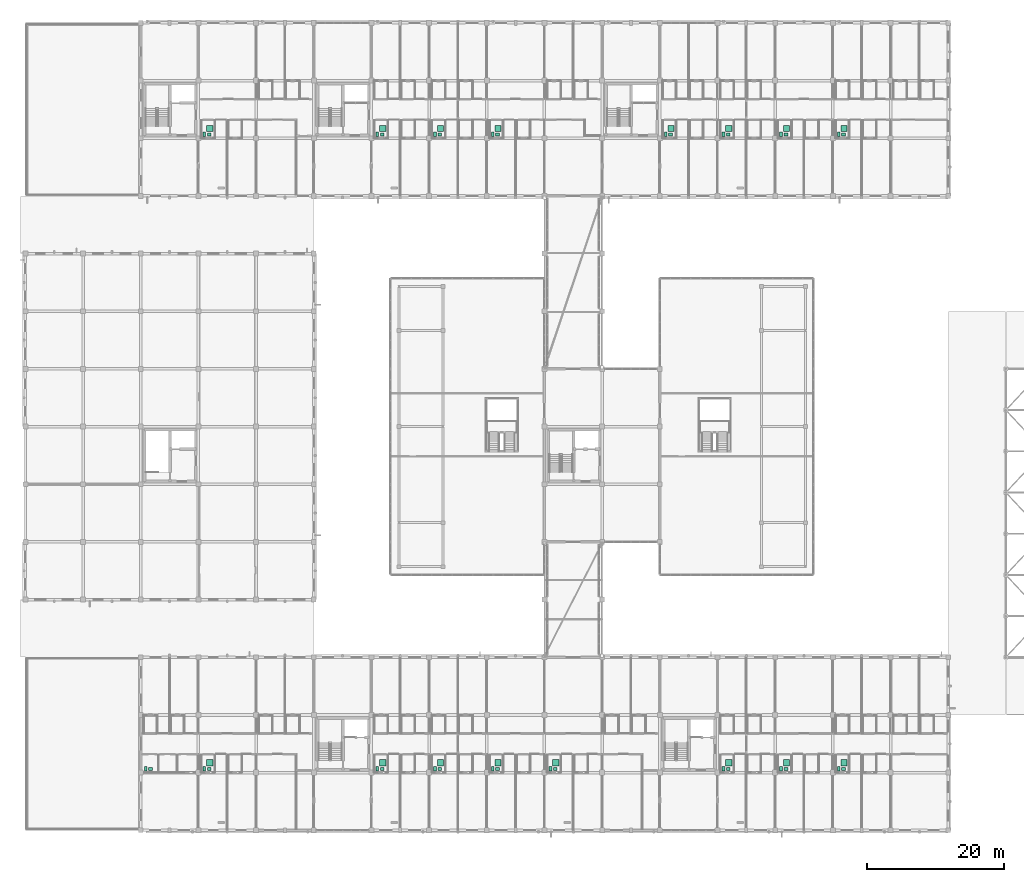
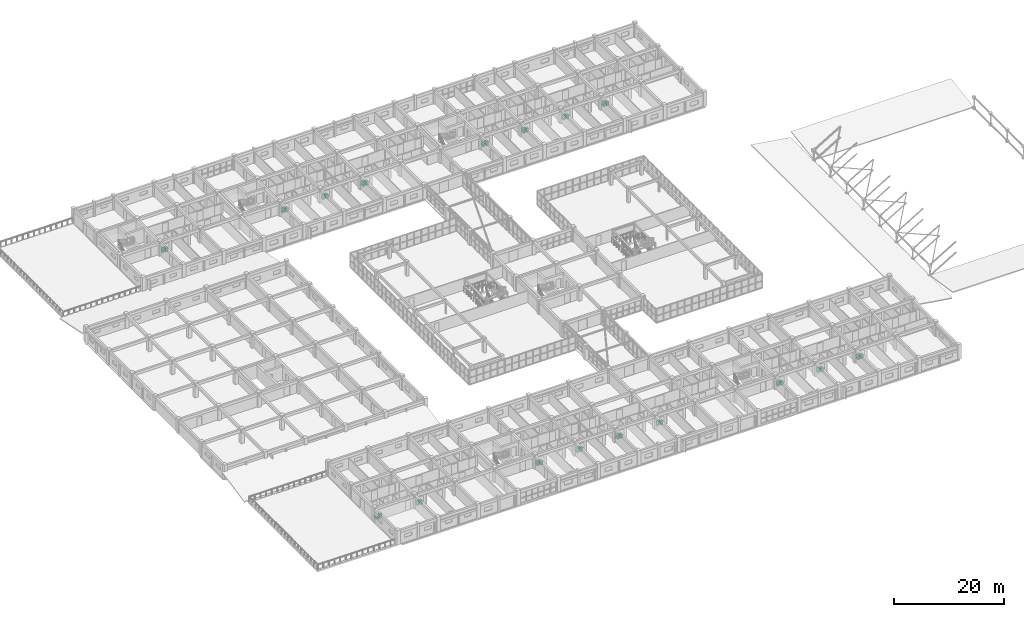
# One storey, part 148 of 148: 50 sanitary terminals.
"""IFC4 building model written with IfcOpenShell, lengths in metres."""

from ifc_helpers import new_model, si_unit, direction, frame, origin, origin_2d, place, context, subcontext, project, spatial, rectangle, extrude, material, type_object, element, save


model = new_model("IFC4")

# Units and contexts
model_context = context("Model", 3, precision=1e-05, world=origin(), true_north=direction((0.0, 1.0)))
body_context = subcontext(model_context, "Body", "Model", "MODEL_VIEW")
ifc_project = project(units=[si_unit("LENGTHUNIT", "METRE"), si_unit("AREAUNIT", "SQUARE_METRE"), si_unit("VOLUMEUNIT", "CUBIC_METRE"), si_unit("PLANEANGLEUNIT", "RADIAN"), si_unit("MASSUNIT", "GRAM", prefix="KILO")], contexts=[model_context])

# Site, building, storey
site_placement = place(None, origin())
site = spatial("IfcSite", under=ifc_project, at=site_placement, CompositionType="ELEMENT")
building_placement = place(site_placement, origin())
building = spatial("IfcBuilding", under=site, at=building_placement, Name="Trelvath General Hospital", CompositionType="ELEMENT")
storey_placement = place(building_placement, frame((0.0, 0.0, 12.89990234375)))
storey = spatial("IfcBuildingStorey", under=building, at=storey_placement, Name="L03", CompositionType="ELEMENT", Elevation=12.89990234375)

# Sanitary terminals
ifc_material_1 = material(Name="Sanitary glazed porcelain")
sanitary_terminal_type_1 = type_object("IfcSanitaryTerminalType", Name="Sanitary Basin", PredefinedType="WASHHANDBASIN", material=ifc_material_1)
for number, where, z_axis, x_axis, name in (
    (1, (18.219970703125, 8.93994140625, 0.0), (0.0, 0.0, 1.0), (1.0, 0.0, 0.0), "Pedestal Washbasin FIT-L03-V6-AWC-2"),
    (2, (26.760009765625, 8.929931640625, 0.0), (0.0, 0.0, 1.0), (1.0, 0.0, 0.0), "Pedestal Washbasin FIT-L03-V6-3-W"),
    (3, (51.9599609375, 8.929931640625, 0.0), (0.0, 0.0, 1.0), (1.0, 0.0, 0.0), "Pedestal Washbasin FIT-L03-V6-6-W"),
    (4, (60.360107421875, 8.929931640625, 0.0), (0.0, 0.0, 1.0), (1.0, 0.0, 0.0), "Pedestal Washbasin FIT-L03-V6-7-W"),
    (5, (68.760009765625, 8.929931640625, 0.0), (0.0, 0.0, 1.0), (1.0, 0.0, 0.0), "Pedestal Washbasin FIT-L03-V6-8-W"),
    (6, (77.159912109375, 8.929931640625, 0.0), (0.0, 0.0, 1.0), (1.0, 0.0, 0.0), "Pedestal Washbasin FIT-L03-V6-9-W"),
    (7, (102.360107421875, 8.929931640625, 0.0), (0.0, 0.0, 1.0), (1.0, 0.0, 0.0), "Pedestal Washbasin FIT-L03-V6-12-W"),
    (8, (110.760009765625, 8.929931640625, 0.0), (0.0, 0.0, 1.0), (1.0, 0.0, 0.0), "Pedestal Washbasin FIT-L03-V6-13-W"),
    (9, (119.159912109375, 8.929931640625, 0.0), (0.0, 0.0, 1.0), (1.0, 0.0, 0.0), "Pedestal Washbasin FIT-L03-V6-14-W"),
    (10, (26.760009765625, 101.330078125, 0.0), (0.0, 0.0, 1.0), (1.0, 0.0, 0.0), "Pedestal Washbasin FIT-L03-V5-3-W"),
    (11, (51.9599609375, 101.330078125, 0.0), (0.0, 0.0, 1.0), (1.0, 0.0, 0.0), "Pedestal Washbasin FIT-L03-V5-6-W"),
    (12, (60.360107421875, 101.330078125, 0.0), (0.0, 0.0, 1.0), (1.0, 0.0, 0.0), "Pedestal Washbasin FIT-L03-V5-7-W"),
    (13, (68.760009765625, 101.330078125, 0.0), (0.0, 0.0, 1.0), (1.0, 0.0, 0.0), "Pedestal Washbasin FIT-L03-V5-8-W"),
    (14, (93.9599609375, 101.330078125, 0.0), (0.0, 0.0, 1.0), (1.0, 0.0, 0.0), "Pedestal Washbasin FIT-L03-V5-11-W"),
    (15, (102.360107421875, 101.330078125, 0.0), (0.0, 0.0, 1.0), (1.0, 0.0, 0.0), "Pedestal Washbasin FIT-L03-V5-12-W"),
    (16, (110.760009765625, 101.330078125, 0.0), (0.0, 0.0, 1.0), (1.0, 0.0, 0.0), "Pedestal Washbasin FIT-L03-V5-13-W"),
    (17, (119.159912109375, 101.330078125, 0.0), (0.0, 0.0, 1.0), (1.0, 0.0, 0.0), "Pedestal Washbasin FIT-L03-V5-14-W"),
):
    element("IfcSanitaryTerminal", number, at=place(storey_placement, frame(where, z_axis=z_axis, x_axis=x_axis)), inside=storey, type_object=sanitary_terminal_type_1, Name=name, PredefinedType="WASHHANDBASIN", context=body_context, shape_type="SweptSolid", body=[
        extrude(rectangle(XDim=0.550048828125, YDim=0.449951171875, at=origin_2d()), origin(), (0.0, 0.0, 1.0), 0.85009765625),
    ])
ifc_material_2 = material(Name="Sanitary glazed porcelain")
sanitary_terminal_type_2 = type_object("IfcSanitaryTerminalType", Name="Sanitary Shower", PredefinedType="SHOWER", material=ifc_material_2)
for number, where, z_axis, x_axis, name in (
    (18, (26.840087890625, 9.840087890625, 0.0), (0.0, 0.0, 1.0), (1.0, 0.0, 0.0), "Roll-in Shower FIT-L03-V6-3-W"),
    (19, (52.0400390625, 9.840087890625, 0.0), (0.0, 0.0, 1.0), (1.0, 0.0, 0.0), "Roll-in Shower FIT-L03-V6-6-W"),
    (20, (60.43994140625, 9.840087890625, 0.0), (0.0, 0.0, 1.0), (1.0, 0.0, 0.0), "Roll-in Shower FIT-L03-V6-7-W"),
    (21, (68.840087890625, 9.840087890625, 0.0), (0.0, 0.0, 1.0), (1.0, 0.0, 0.0), "Roll-in Shower FIT-L03-V6-8-W"),
    (22, (77.239990234375, 9.840087890625, 0.0), (0.0, 0.0, 1.0), (1.0, 0.0, 0.0), "Roll-in Shower FIT-L03-V6-9-W"),
    (23, (102.43994140625, 9.840087890625, 0.0), (0.0, 0.0, 1.0), (1.0, 0.0, 0.0), "Roll-in Shower FIT-L03-V6-12-W"),
    (24, (110.840087890625, 9.840087890625, 0.0), (0.0, 0.0, 1.0), (1.0, 0.0, 0.0), "Roll-in Shower FIT-L03-V6-13-W"),
    (25, (119.239990234375, 9.840087890625, 0.0), (0.0, 0.0, 1.0), (1.0, 0.0, 0.0), "Roll-in Shower FIT-L03-V6-14-W"),
    (26, (26.840087890625, 102.239990234375, 0.0), (0.0, 0.0, 1.0), (1.0, 0.0, 0.0), "Roll-in Shower FIT-L03-V5-3-W"),
    (27, (52.0400390625, 102.239990234375, 0.0), (0.0, 0.0, 1.0), (1.0, 0.0, 0.0), "Roll-in Shower FIT-L03-V5-6-W"),
    (28, (60.43994140625, 102.239990234375, 0.0), (0.0, 0.0, 1.0), (1.0, 0.0, 0.0), "Roll-in Shower FIT-L03-V5-7-W"),
    (29, (68.840087890625, 102.239990234375, 0.0), (0.0, 0.0, 1.0), (1.0, 0.0, 0.0), "Roll-in Shower FIT-L03-V5-8-W"),
    (30, (94.0400390625, 102.239990234375, 0.0), (0.0, 0.0, 1.0), (1.0, 0.0, 0.0), "Roll-in Shower FIT-L03-V5-11-W"),
    (31, (102.43994140625, 102.239990234375, 0.0), (0.0, 0.0, 1.0), (1.0, 0.0, 0.0), "Roll-in Shower FIT-L03-V5-12-W"),
    (32, (110.840087890625, 102.239990234375, 0.0), (0.0, 0.0, 1.0), (1.0, 0.0, 0.0), "Roll-in Shower FIT-L03-V5-13-W"),
    (33, (119.239990234375, 102.239990234375, 0.0), (0.0, 0.0, 1.0), (1.0, 0.0, 0.0), "Roll-in Shower FIT-L03-V5-14-W"),
):
    element("IfcSanitaryTerminal", number, at=place(storey_placement, frame(where, z_axis=z_axis, x_axis=x_axis)), inside=storey, type_object=sanitary_terminal_type_2, Name=name, PredefinedType="SHOWER", context=body_context, shape_type="SweptSolid", body=[
        extrude(rectangle(XDim=0.89990234375, YDim=0.89990234375, at=origin_2d()), origin(), (0.0, 0.0, 1.0), 0.080078125),
    ])
ifc_material_3 = material(Name="Sanitary glazed porcelain")
sanitary_terminal_type_3 = type_object("IfcSanitaryTerminalType", Name="Sanitary WC", PredefinedType="TOILETPAN", material=ifc_material_3)
for number, where, z_axis, x_axis, name in (
    (34, (17.52001953125, 8.97998046875, 0.0), (0.0, 0.0, 1.0), (1.0, 0.0, 0.0), "WC Pan FIT-L03-V6-AWC-2"),
    (35, (26.06005859375, 8.969970703125, 0.0), (0.0, 0.0, 1.0), (1.0, 0.0, 0.0), "WC Pan FIT-L03-V6-3-W"),
    (36, (51.260009765625, 8.969970703125, 0.0), (0.0, 0.0, 1.0), (1.0, 0.0, 0.0), "WC Pan FIT-L03-V6-6-W"),
    (37, (59.659912109375, 8.969970703125, 0.0), (0.0, 0.0, 1.0), (1.0, 0.0, 0.0), "WC Pan FIT-L03-V6-7-W"),
    (38, (68.06005859375, 8.969970703125, 0.0), (0.0, 0.0, 1.0), (1.0, 0.0, 0.0), "WC Pan FIT-L03-V6-8-W"),
    (39, (76.4599609375, 8.969970703125, 0.0), (0.0, 0.0, 1.0), (1.0, 0.0, 0.0), "WC Pan FIT-L03-V6-9-W"),
    (40, (101.659912109375, 8.969970703125, 0.0), (0.0, 0.0, 1.0), (1.0, 0.0, 0.0), "WC Pan FIT-L03-V6-12-W"),
    (41, (110.06005859375, 8.969970703125, 0.0), (0.0, 0.0, 1.0), (1.0, 0.0, 0.0), "WC Pan FIT-L03-V6-13-W"),
    (42, (118.4599609375, 8.969970703125, 0.0), (0.0, 0.0, 1.0), (1.0, 0.0, 0.0), "WC Pan FIT-L03-V6-14-W"),
    (43, (26.06005859375, 101.3701171875, 0.0), (0.0, 0.0, 1.0), (1.0, 0.0, 0.0), "WC Pan FIT-L03-V5-3-W"),
    (44, (51.260009765625, 101.3701171875, 0.0), (0.0, 0.0, 1.0), (1.0, 0.0, 0.0), "WC Pan FIT-L03-V5-6-W"),
    (45, (59.659912109375, 101.3701171875, 0.0), (0.0, 0.0, 1.0), (1.0, 0.0, 0.0), "WC Pan FIT-L03-V5-7-W"),
    (46, (68.06005859375, 101.3701171875, 0.0), (0.0, 0.0, 1.0), (1.0, 0.0, 0.0), "WC Pan FIT-L03-V5-8-W"),
    (47, (93.260009765625, 101.3701171875, 0.0), (0.0, 0.0, 1.0), (1.0, 0.0, 0.0), "WC Pan FIT-L03-V5-11-W"),
    (48, (101.659912109375, 101.3701171875, 0.0), (0.0, 0.0, 1.0), (1.0, 0.0, 0.0), "WC Pan FIT-L03-V5-12-W"),
    (49, (110.06005859375, 101.3701171875, 0.0), (0.0, 0.0, 1.0), (1.0, 0.0, 0.0), "WC Pan FIT-L03-V5-13-W"),
    (50, (118.4599609375, 101.3701171875, 0.0), (0.0, 0.0, 1.0), (1.0, 0.0, 0.0), "WC Pan FIT-L03-V5-14-W"),
):
    element("IfcSanitaryTerminal", number, at=place(storey_placement, frame(where, z_axis=z_axis, x_axis=x_axis)), inside=storey, type_object=sanitary_terminal_type_3, Name=name, PredefinedType="TOILETPAN", context=body_context, shape_type="SweptSolid", body=[
        extrude(rectangle(XDim=0.39990234375, YDim=0.64990234375, at=origin_2d()), origin(), (0.0, 0.0, 1.0), 0.449951171875),
    ])

save(model, "model.ifc")
